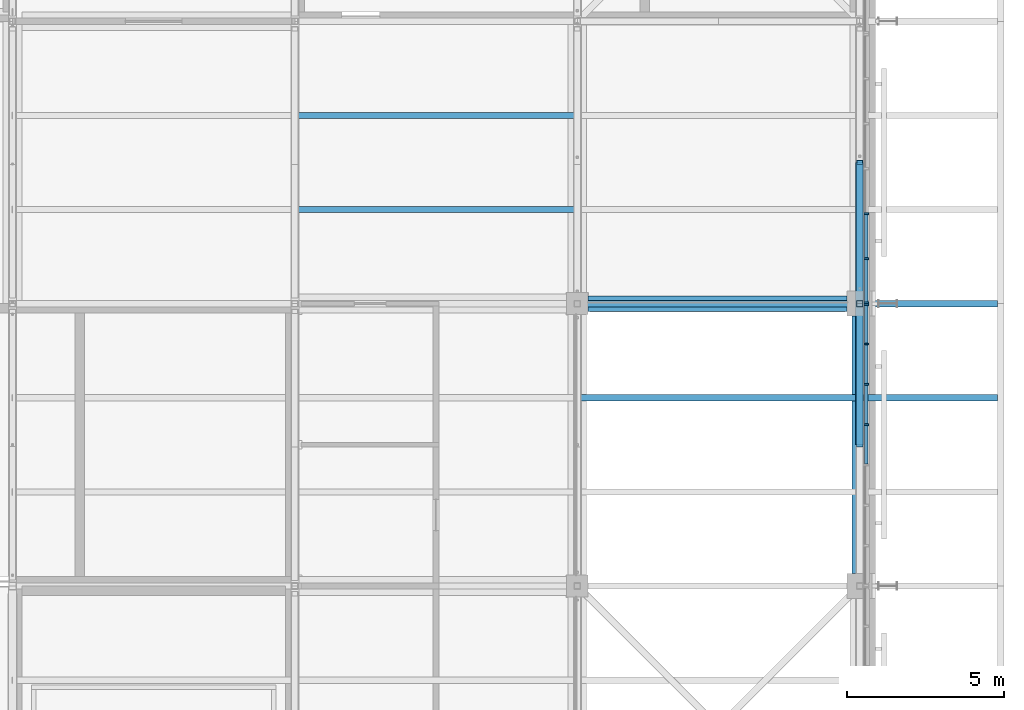
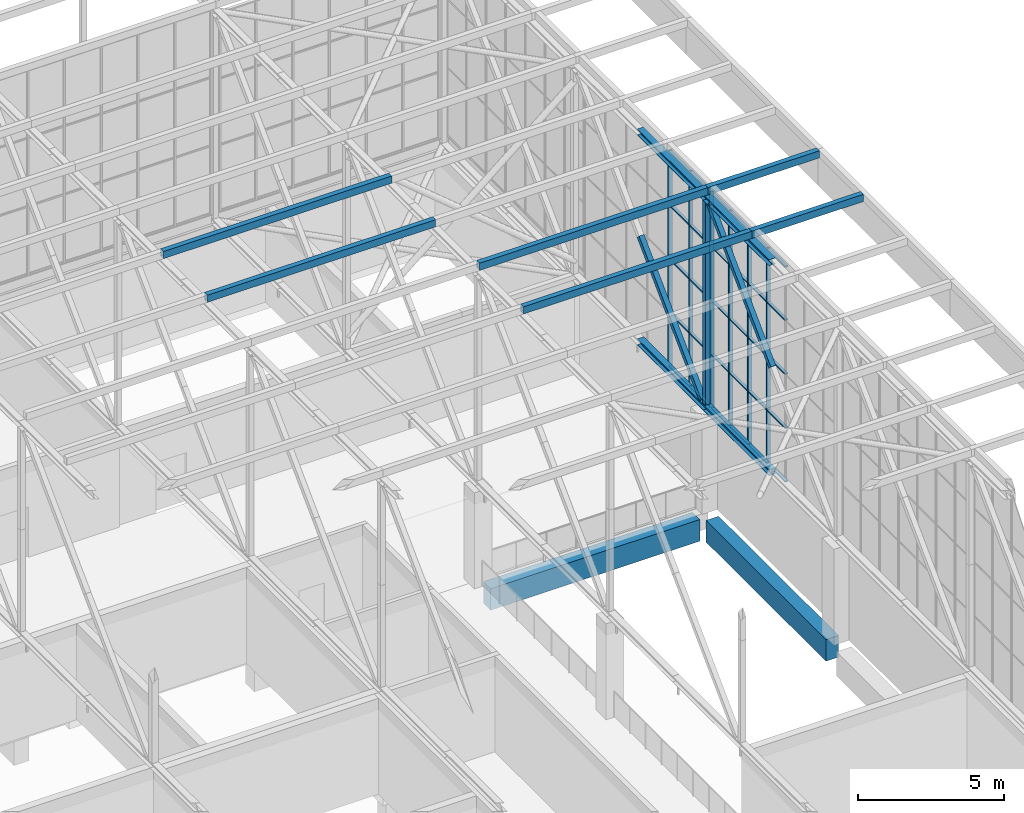
# One storey, part 109 of 646: 51 members, 2 beams, 2 elements without a shape of their own.
"""IFC4 building model written with IfcOpenShell, lengths in metres."""

from ifc_helpers import new_model, si_unit, direction, frame, origin, origin_2d, place, context, subcontext, project, spatial, rectangle, hollow_rectangle, i_section, extrude, material, material_profile, profile_set, type_object, element, aggregate, save


model = new_model("IFC4")

# Units and contexts
model_context = context("Model", 3, precision=1e-05, world=origin(), true_north=direction((0.0, 1.0)))
body_context = subcontext(model_context, "Body", "Model", "MODEL_VIEW")
ifc_project = project(units=[si_unit("LENGTHUNIT", "METRE"), si_unit("AREAUNIT", "SQUARE_METRE"), si_unit("VOLUMEUNIT", "CUBIC_METRE"), si_unit("PLANEANGLEUNIT", "RADIAN"), si_unit("MASSUNIT", "GRAM", prefix="KILO")], contexts=[model_context])

# Site, building, storey
site_placement = place(None, origin())
site = spatial("IfcSite", under=ifc_project, at=site_placement, CompositionType="ELEMENT")
building_placement = place(site_placement, origin())
building = spatial("IfcBuilding", under=site, at=building_placement, Name="Silverbay Arena", CompositionType="ELEMENT")
storey_placement = place(building_placement, frame((0.0, 0.0, 33.5)))
storey = spatial("IfcBuildingStorey", under=building, at=storey_placement, Name="L05", CompositionType="ELEMENT", Elevation=33.5)

# Curtain wall, members
ifc_material_1 = material(Name="Aluminium framed glazing", Category="aluminium")
curtain_wall_type_1 = type_object("IfcCurtainWallType", Name="Curtain wall clerestory 9000 x 9000", PredefinedType="NOTDEFINED", material=ifc_material_1)
curtain_wall_1_placement = place(storey_placement, origin())
curtain_wall_1 = element("IfcCurtainWall", 1, at=curtain_wall_1_placement, inside=storey, type_object=curtain_wall_type_1, Name="ROOF GABLE CLERESTORY CURTAIN WALL east bay 13", PredefinedType="NOTDEFINED")
ifc_material_2 = material(Name="Aluminium", Category="aluminium")
ifc_material_profile_1 = material_profile(ifc_material_2, rectangle(XDim=0.159912109375, YDim=0.06005859375, at=origin_2d()), Name="Mullion 60 x 160")
ifc_profile_set_1 = profile_set([ifc_material_profile_1], Name="Aluminium")
member_type_1 = type_object("IfcMemberType", Name="Mullion 60 x 160", PredefinedType="MULLION", material=ifc_profile_set_1)
member_1_placement = place(storey_placement, frame((207.2099609375, 122.142822265625, 4.0), z_axis=(0.0, 0.0, 1.0), x_axis=(-1.0, 0.0, 0.0)))
member_1 = element("IfcMember", 2, at=member_1_placement, type_object=member_type_1, Name="CW60 mullion 5", PredefinedType="MULLION", context=body_context, shape_type="SweptSolid", body=[
    extrude(rectangle(XDim=0.159912109375, YDim=0.06005859375, at=origin_2d()), origin(), (0.0, 0.0, 1.0), 9.0),
])
member_2_placement = place(storey_placement, frame((207.2099609375, 123.428466796875, 4.0), z_axis=(0.0, 0.0, 1.0), x_axis=(-1.0, 0.0, 0.0)))
member_2 = element("IfcMember", 3, at=member_2_placement, type_object=member_type_1, Name="CW60 mullion 6", PredefinedType="MULLION", context=body_context, shape_type="SweptSolid", body=[
    extrude(rectangle(XDim=0.159912109375, YDim=0.06005859375, at=origin_2d()), origin(), (0.0, 0.0, 1.0), 9.0),
])
member_3_placement = place(storey_placement, frame((207.2099609375, 124.71435546875, 4.0), z_axis=(0.0, 0.0, 1.0), x_axis=(-1.0, 0.0, 0.0)))
member_3 = element("IfcMember", 4, at=member_3_placement, type_object=member_type_1, Name="CW60 mullion 7", PredefinedType="MULLION", context=body_context, shape_type="SweptSolid", body=[
    extrude(rectangle(XDim=0.159912109375, YDim=0.06005859375, at=origin_2d()), origin(), (0.0, 0.0, 1.0), 9.0),
])
member_4_placement = place(storey_placement, frame((207.2099609375, 125.969970703125, 4.0), z_axis=(0.0, 0.0, 1.0), x_axis=(-1.0, 0.0, 0.0)))
member_4 = element("IfcMember", 5, at=member_4_placement, type_object=member_type_1, Name="CW60 mullion 8", PredefinedType="MULLION", context=body_context, shape_type="SweptSolid", body=[
    extrude(rectangle(XDim=0.159912109375, YDim=0.06005859375, at=origin_2d()), origin(), (0.0, 0.0, 1.0), 9.0),
])

ifc_material_3 = material(Name="Aluminium framed glazing", Category="aluminium")
curtain_wall_type_2 = type_object("IfcCurtainWallType", Name="Curtain wall clerestory 8600 x 9000", PredefinedType="NOTDEFINED", material=ifc_material_3)
curtain_wall_2_placement = place(storey_placement, origin())
curtain_wall_2 = element("IfcCurtainWall", 6, at=curtain_wall_2_placement, inside=storey, type_object=curtain_wall_type_2, Name="ROOF GABLE CLERESTORY CURTAIN WALL east bay 14", PredefinedType="NOTDEFINED")
member_5_placement = place(storey_placement, frame((207.2099609375, 126.030029296875, 4.0), z_axis=(0.0, 0.0, 1.0), x_axis=(-1.0, 0.0, 0.0)))
member_5 = element("IfcMember", 7, at=member_5_placement, type_object=member_type_1, Name="CW59 mullion 1", PredefinedType="MULLION", context=body_context, shape_type="SweptSolid", body=[
    extrude(rectangle(XDim=0.159912109375, YDim=0.06005859375, at=origin_2d()), origin(), (0.0, 0.0, 1.0), 9.0),
])
member_6_placement = place(storey_placement, frame((207.2099609375, 127.433349609375, 4.0), z_axis=(0.0, 0.0, 1.0), x_axis=(-1.0, 0.0, 0.0)))
member_6 = element("IfcMember", 8, at=member_6_placement, type_object=member_type_1, Name="CW59 mullion 2", PredefinedType="MULLION", context=body_context, shape_type="SweptSolid", body=[
    extrude(rectangle(XDim=0.159912109375, YDim=0.06005859375, at=origin_2d()), origin(), (0.0, 0.0, 1.0), 9.0),
])
member_7_placement = place(storey_placement, frame((207.2099609375, 128.86669921875, 4.0), z_axis=(0.0, 0.0, 1.0), x_axis=(-1.0, 0.0, 0.0)))
member_7 = element("IfcMember", 9, at=member_7_placement, type_object=member_type_1, Name="CW59 mullion 3", PredefinedType="MULLION", context=body_context, shape_type="SweptSolid", body=[
    extrude(rectangle(XDim=0.159912109375, YDim=0.06005859375, at=origin_2d()), origin(), (0.0, 0.0, 1.0), 9.0),
])

# Members
ifc_material_4 = material(Name="Steel S355", Category="steel")
ifc_material_profile_2 = material_profile(ifc_material_4, hollow_rectangle(XDim=0.199951171875, YDim=0.300048828125, WallThickness=0.00634765625, at=origin_2d()), Name="RHS 300x200x6.3")
ifc_profile_set_2 = profile_set([ifc_material_profile_2], Name="Steel S355")
member_type_2 = type_object("IfcMemberType", Name="Purlin RHS 300x200x6.3", PredefinedType="PURLIN", material=ifc_profile_set_2)
for number, where, z_axis, x_axis, name in (
    (10, (189.0, 129.0, 13.14990234375), (1.0, 0.0, 0.0), (0.0, 1.0, 0.0), "ROOF PURLIN 22-23 line 41"),
    (11, (189.0, 132.0, 13.14990234375), (1.0, 0.0, 0.0), (0.0, 1.0, 0.0), "ROOF PURLIN 22-23 line 42"),
):
    element("IfcMember", number, at=place(storey_placement, frame(where, z_axis=z_axis, x_axis=x_axis)), inside=storey, type_object=member_type_2, Name=name, PredefinedType="PURLIN", context=body_context, shape_type="SweptSolid", body=[
        extrude(hollow_rectangle(XDim=0.199951171875, YDim=0.300048828125, WallThickness=0.00634765625, at=origin_2d()), origin(), (0.0, 0.0, 1.0), 9.0),
    ])
ifc_material_5 = material(Name="Steel S355", Category="steel")
ifc_material_profile_3 = material_profile(ifc_material_5, hollow_rectangle(XDim=0.199951171875, YDim=0.300048828125, WallThickness=0.008056640625, at=origin_2d()), Name="RHS 300x200x8")
ifc_profile_set_3 = profile_set([ifc_material_profile_3], Name="Steel S355")
member_type_3 = type_object("IfcMemberType", Name="Purlin RHS 300x200x8", PredefinedType="PURLIN", material=ifc_profile_set_3)
for number, where, z_axis, x_axis, name in (
    (12, (198.0, 123.0, 13.14990234375), (1.0, 0.0, 0.0), (0.0, 1.0, 0.0), "ROOF PURLIN 23-24 line 39"),
    (13, (198.0, 126.0, 13.14990234375), (1.0, 0.0, 0.0), (0.0, 1.0, 0.0), "ROOF PURLIN 23-24 line 40"),
):
    element("IfcMember", number, at=place(storey_placement, frame(where, z_axis=z_axis, x_axis=x_axis)), inside=storey, type_object=member_type_3, Name=name, PredefinedType="PURLIN", context=body_context, shape_type="SweptSolid", body=[
        extrude(hollow_rectangle(XDim=0.199951171875, YDim=0.300048828125, WallThickness=0.008056640625, at=origin_2d()), origin(), (0.0, 0.0, 1.0), 9.0),
    ])
for number, where, z_axis, x_axis, name in (
    (14, (211.39990234375, 123.0, 13.14990234375), (-1.0, 0.0, 0.0), (0.0, -1.0, 0.0), "ROOF PURLIN east eave line 39"),
    (15, (211.39990234375, 126.0, 13.14990234375), (-1.0, 0.0, 0.0), (0.0, -1.0, 0.0), "ROOF PURLIN east eave line 40"),
):
    element("IfcMember", number, at=place(storey_placement, frame(where, z_axis=z_axis, x_axis=x_axis)), inside=storey, type_object=member_type_3, Name=name, PredefinedType="PURLIN", context=body_context, shape_type="SweptSolid", body=[
        extrude(hollow_rectangle(XDim=0.199951171875, YDim=0.300048828125, WallThickness=0.008056640625, at=origin_2d()), origin(), (0.0, 0.0, 1.0), 4.39990234375),
    ])

# Beams
ifc_material_6 = material(Name="Concrete Grade C45", Category="concrete")
ifc_material_profile_4 = material_profile(ifc_material_6, rectangle(XDim=0.5, YDim=0.89990234375, at=origin_2d()), Name="RC 500x900")
ifc_profile_set_4 = profile_set([ifc_material_profile_4], Name="Concrete Grade C45")
beam_type = type_object("IfcBeamType", Name="RC beam 500x900", PredefinedType="BEAM", material=ifc_profile_set_4)
beam_1_placement = place(storey_placement, frame((198.35009765625, 126.0, -0.75), z_axis=(1.0, 0.0, 0.0), x_axis=(0.0, 1.0, 0.0)))
element("IfcBeam", 16, at=beam_1_placement, inside=storey, type_object=beam_type, Name="Floor beam L05 060", PredefinedType="BEAM", context=body_context, shape_type="SweptSolid", body=[
    extrude(rectangle(XDim=0.5, YDim=0.89990234375, at=origin_2d()), origin(), (0.0, 0.0, 1.0), 8.25),
])
beam_2_placement = place(storey_placement, frame((207.0, 117.39990234375, -0.75), z_axis=(0.0, 1.0, 0.0), x_axis=(-1.0, 0.0, 0.0)))
element("IfcBeam", 17, at=beam_2_placement, inside=storey, type_object=beam_type, Name="Floor beam L05 153", PredefinedType="BEAM", context=body_context, shape_type="SweptSolid", body=[
    extrude(rectangle(XDim=0.5, YDim=0.89990234375, at=origin_2d()), origin(), (0.0, 0.0, 1.0), 8.2001953125),
])

# Members
ifc_material_7 = material(Name="Steel S355", Category="steel")
ifc_material_profile_5 = material_profile(ifc_material_7, i_section(OverallWidth=0.254638671875, OverallDepth=0.254150390625, WebThickness=0.008544921875, FlangeThickness=0.01416015625, at=origin_2d()), Name="UC 254x254x73")
ifc_profile_set_5 = profile_set([ifc_material_profile_5], Name="Steel S355")
member_type_4 = type_object("IfcMemberType", Name="Short-span bottom chord UC 254x254x73", PredefinedType="CHORD", material=ifc_profile_set_5)
for number, where, z_axis, x_axis, name in (
    (18, (207.0, 121.5, 4.126953125), (0.0, 1.0, 0.0), (-1.0, 0.0, 0.0), "ROOF TRUSS 24 bottom chord 13b"),
    (19, (207.0, 126.0, 4.126953125), (0.0, 1.0, 0.0), (-1.0, 0.0, 0.0), "ROOF TRUSS 24 bottom chord 14a"),
):
    element("IfcMember", number, at=place(storey_placement, frame(where, z_axis=z_axis, x_axis=x_axis)), inside=storey, type_object=member_type_4, Name=name, PredefinedType="CHORD", context=body_context, shape_type="SweptSolid", body=[
        extrude(i_section(OverallWidth=0.254638671875, OverallDepth=0.254150390625, WebThickness=0.008544921875, FlangeThickness=0.01416015625, at=origin_2d()), origin(), (0.0, 0.0, 1.0), 4.5),
    ])
ifc_material_8 = material(Name="Steel S355", Category="steel")
ifc_material_profile_6 = material_profile(ifc_material_8, i_section(OverallWidth=0.254638671875, OverallDepth=0.254150390625, WebThickness=0.008544921875, FlangeThickness=0.01416015625, at=origin_2d()), Name="UC 254x254x73")
ifc_profile_set_6 = profile_set([ifc_material_profile_6], Name="Steel S355")
member_type_5 = type_object("IfcMemberType", Name="Short-span top chord UC 254x254x73", PredefinedType="CHORD", material=ifc_profile_set_6)
for number, where, z_axis, x_axis, name in (
    (20, (207.0, 121.5, 12.873046875), (0.0, 1.0, 0.0), (-1.0, 0.0, 0.0), "ROOF TRUSS 24 top chord 13b"),
    (21, (207.0, 126.0, 12.873046875), (0.0, 1.0, 0.0), (-1.0, 0.0, 0.0), "ROOF TRUSS 24 top chord 14a"),
):
    element("IfcMember", number, at=place(storey_placement, frame(where, z_axis=z_axis, x_axis=x_axis)), inside=storey, type_object=member_type_5, Name=name, PredefinedType="CHORD", context=body_context, shape_type="SweptSolid", body=[
        extrude(i_section(OverallWidth=0.254638671875, OverallDepth=0.254150390625, WebThickness=0.008544921875, FlangeThickness=0.01416015625, at=origin_2d()), origin(), (0.0, 0.0, 1.0), 4.5),
    ])
ifc_material_9 = material(Name="Steel S355", Category="steel")
ifc_material_profile_7 = material_profile(ifc_material_9, hollow_rectangle(XDim=0.199951171875, YDim=0.199951171875, WallThickness=0.008056640625, at=origin_2d()), Name="SHS 200x200x8")
ifc_profile_set_7 = profile_set([ifc_material_profile_7], Name="Steel S355")
member_type_6 = type_object("IfcMemberType", Name="Short-span truss diagonal SHS 200x200x8", PredefinedType="BRACE", material=ifc_profile_set_7)
for number, where, z_axis, x_axis, name in (
    (22, (207.0, 125.75439453125, 12.745849609375), (0.0, -0.70781724692, -0.706395600894), (1.0, 0.0, 0.0), "ROOF TRUSS 24 diagonal 13a"),
    (23, (207.0, 130.5, 8.5), (0.0, -0.70781724692, -0.706395600894), (1.0, 0.0, 0.0), "ROOF TRUSS 24 diagonal 14b"),
):
    element("IfcMember", number, at=place(storey_placement, frame(where, z_axis=z_axis, x_axis=x_axis)), inside=storey, type_object=member_type_6, Name=name, PredefinedType="BRACE", context=body_context, shape_type="SweptSolid", body=[
        extrude(hollow_rectangle(XDim=0.199951171875, YDim=0.199951171875, WallThickness=0.008056640625, at=origin_2d()), origin(), (0.0, 0.0, 1.0), 6.010498046875),
    ])
ifc_material_10 = material(Name="Steel S355", Category="steel")
ifc_material_profile_8 = material_profile(ifc_material_10, hollow_rectangle(XDim=0.199951171875, YDim=0.199951171875, WallThickness=0.008056640625, at=origin_2d()), Name="SHS 200x200x8")
ifc_profile_set_8 = profile_set([ifc_material_profile_8], Name="Steel S355")
member_type_7 = type_object("IfcMemberType", Name="Short-span truss vertical SHS 200x200x8", PredefinedType="STRUT", material=ifc_profile_set_8)
for number, where, z_axis, x_axis, name in (
    (24, (207.0, 126.0, 4.254150390625), (0.0, 0.0, 1.0), (1.0, 0.0, 0.0), "ROOF TRUSS 24 vertical 14a"),
    (25, (207.0, 126.0, 8.5), (0.0, 0.0, 1.0), (1.0, 0.0, 0.0), "ROOF TRUSS 24 vertical 14b"),
):
    element("IfcMember", number, at=place(storey_placement, frame(where, z_axis=z_axis, x_axis=x_axis)), inside=storey, type_object=member_type_7, Name=name, PredefinedType="STRUT", context=body_context, shape_type="SweptSolid", body=[
        extrude(hollow_rectangle(XDim=0.199951171875, YDim=0.199951171875, WallThickness=0.008056640625, at=origin_2d()), origin(), (0.0, 0.0, 1.0), 4.245849609375),
    ])

# Member
ifc_material_11 = material(Name="Aluminium", Category="aluminium")
ifc_material_profile_9 = material_profile(ifc_material_11, rectangle(XDim=0.1201171875, YDim=0.050048828125, at=origin_2d()), Name="Transom 50 x 120")
ifc_profile_set_9 = profile_set([ifc_material_profile_9], Name="Aluminium")
member_type_8 = type_object("IfcMemberType", Name="Transom 50 x 120", PredefinedType="USERDEFINED", material=ifc_profile_set_9)
member_8_placement = place(storey_placement, frame((207.2099609375, 120.88720703125, 4.02490234375), z_axis=(0.0, 1.0, 0.0), x_axis=(-1.0, 0.0, 0.0)))
member_8 = element("IfcMember", 26, at=member_8_placement, type_object=member_type_8, Name="CW60 transom 4.1", ObjectType="TRANSOM", PredefinedType="USERDEFINED", context=body_context, shape_type="SweptSolid", body=[
    extrude(rectangle(XDim=0.1201171875, YDim=0.050048828125, at=origin_2d()), origin(), (0.0, 0.0, 1.0), 1.2255859375),
])

member_9_placement = place(storey_placement, frame((207.2099609375, 120.88720703125, 6.25), z_axis=(0.0, 1.0, 0.0), x_axis=(-1.0, 0.0, 0.0)))
member_9 = element("IfcMember", 27, at=member_9_placement, type_object=member_type_8, Name="CW60 transom 4.2", ObjectType="TRANSOM", PredefinedType="USERDEFINED", context=body_context, shape_type="SweptSolid", body=[
    extrude(rectangle(XDim=0.1201171875, YDim=0.050048828125, at=origin_2d()), origin(), (0.0, 0.0, 1.0), 1.2255859375),
])

member_10_placement = place(storey_placement, frame((207.2099609375, 120.88720703125, 8.5), z_axis=(0.0, 1.0, 0.0), x_axis=(-1.0, 0.0, 0.0)))
member_10 = element("IfcMember", 28, at=member_10_placement, type_object=member_type_8, Name="CW60 transom 4.3", ObjectType="TRANSOM", PredefinedType="USERDEFINED", context=body_context, shape_type="SweptSolid", body=[
    extrude(rectangle(XDim=0.1201171875, YDim=0.050048828125, at=origin_2d()), origin(), (0.0, 0.0, 1.0), 1.2255859375),
])

member_11_placement = place(storey_placement, frame((207.2099609375, 120.88720703125, 10.75), z_axis=(0.0, 1.0, 0.0), x_axis=(-1.0, 0.0, 0.0)))
member_11 = element("IfcMember", 29, at=member_11_placement, type_object=member_type_8, Name="CW60 transom 4.4", ObjectType="TRANSOM", PredefinedType="USERDEFINED", context=body_context, shape_type="SweptSolid", body=[
    extrude(rectangle(XDim=0.1201171875, YDim=0.050048828125, at=origin_2d()), origin(), (0.0, 0.0, 1.0), 1.2255859375),
])

member_12_placement = place(storey_placement, frame((207.2099609375, 120.88720703125, 12.97509765625), z_axis=(0.0, 1.0, 0.0), x_axis=(-1.0, 0.0, 0.0)))
member_12 = element("IfcMember", 30, at=member_12_placement, type_object=member_type_8, Name="CW60 transom 4.5", ObjectType="TRANSOM", PredefinedType="USERDEFINED", context=body_context, shape_type="SweptSolid", body=[
    extrude(rectangle(XDim=0.1201171875, YDim=0.050048828125, at=origin_2d()), origin(), (0.0, 0.0, 1.0), 1.2255859375),
])

member_13_placement = place(storey_placement, frame((207.2099609375, 122.1728515625, 4.02490234375), z_axis=(0.0, 1.0, 0.0), x_axis=(-1.0, 0.0, 0.0)))
member_13 = element("IfcMember", 31, at=member_13_placement, type_object=member_type_8, Name="CW60 transom 5.1", ObjectType="TRANSOM", PredefinedType="USERDEFINED", context=body_context, shape_type="SweptSolid", body=[
    extrude(rectangle(XDim=0.1201171875, YDim=0.050048828125, at=origin_2d()), origin(), (0.0, 0.0, 1.0), 1.225830078125),
])

member_14_placement = place(storey_placement, frame((207.2099609375, 122.1728515625, 6.25), z_axis=(0.0, 1.0, 0.0), x_axis=(-1.0, 0.0, 0.0)))
member_14 = element("IfcMember", 32, at=member_14_placement, type_object=member_type_8, Name="CW60 transom 5.2", ObjectType="TRANSOM", PredefinedType="USERDEFINED", context=body_context, shape_type="SweptSolid", body=[
    extrude(rectangle(XDim=0.1201171875, YDim=0.050048828125, at=origin_2d()), origin(), (0.0, 0.0, 1.0), 1.225830078125),
])

member_15_placement = place(storey_placement, frame((207.2099609375, 122.1728515625, 8.5), z_axis=(0.0, 1.0, 0.0), x_axis=(-1.0, 0.0, 0.0)))
member_15 = element("IfcMember", 33, at=member_15_placement, type_object=member_type_8, Name="CW60 transom 5.3", ObjectType="TRANSOM", PredefinedType="USERDEFINED", context=body_context, shape_type="SweptSolid", body=[
    extrude(rectangle(XDim=0.1201171875, YDim=0.050048828125, at=origin_2d()), origin(), (0.0, 0.0, 1.0), 1.225830078125),
])

member_16_placement = place(storey_placement, frame((207.2099609375, 122.1728515625, 10.75), z_axis=(0.0, 1.0, 0.0), x_axis=(-1.0, 0.0, 0.0)))
member_16 = element("IfcMember", 34, at=member_16_placement, type_object=member_type_8, Name="CW60 transom 5.4", ObjectType="TRANSOM", PredefinedType="USERDEFINED", context=body_context, shape_type="SweptSolid", body=[
    extrude(rectangle(XDim=0.1201171875, YDim=0.050048828125, at=origin_2d()), origin(), (0.0, 0.0, 1.0), 1.225830078125),
])

member_17_placement = place(storey_placement, frame((207.2099609375, 122.1728515625, 12.97509765625), z_axis=(0.0, 1.0, 0.0), x_axis=(-1.0, 0.0, 0.0)))
member_17 = element("IfcMember", 35, at=member_17_placement, type_object=member_type_8, Name="CW60 transom 5.5", ObjectType="TRANSOM", PredefinedType="USERDEFINED", context=body_context, shape_type="SweptSolid", body=[
    extrude(rectangle(XDim=0.1201171875, YDim=0.050048828125, at=origin_2d()), origin(), (0.0, 0.0, 1.0), 1.225830078125),
])

member_18_placement = place(storey_placement, frame((207.2099609375, 123.45849609375, 4.02490234375), z_axis=(0.0, 1.0, 0.0), x_axis=(-1.0, 0.0, 0.0)))
member_18 = element("IfcMember", 36, at=member_18_placement, type_object=member_type_8, Name="CW60 transom 6.1", ObjectType="TRANSOM", PredefinedType="USERDEFINED", context=body_context, shape_type="SweptSolid", body=[
    extrude(rectangle(XDim=0.1201171875, YDim=0.050048828125, at=origin_2d()), origin(), (0.0, 0.0, 1.0), 1.225830078125),
])

member_19_placement = place(storey_placement, frame((207.2099609375, 123.45849609375, 6.25), z_axis=(0.0, 1.0, 0.0), x_axis=(-1.0, 0.0, 0.0)))
member_19 = element("IfcMember", 37, at=member_19_placement, type_object=member_type_8, Name="CW60 transom 6.2", ObjectType="TRANSOM", PredefinedType="USERDEFINED", context=body_context, shape_type="SweptSolid", body=[
    extrude(rectangle(XDim=0.1201171875, YDim=0.050048828125, at=origin_2d()), origin(), (0.0, 0.0, 1.0), 1.225830078125),
])

member_20_placement = place(storey_placement, frame((207.2099609375, 123.45849609375, 8.5), z_axis=(0.0, 1.0, 0.0), x_axis=(-1.0, 0.0, 0.0)))
member_20 = element("IfcMember", 38, at=member_20_placement, type_object=member_type_8, Name="CW60 transom 6.3", ObjectType="TRANSOM", PredefinedType="USERDEFINED", context=body_context, shape_type="SweptSolid", body=[
    extrude(rectangle(XDim=0.1201171875, YDim=0.050048828125, at=origin_2d()), origin(), (0.0, 0.0, 1.0), 1.225830078125),
])

member_21_placement = place(storey_placement, frame((207.2099609375, 123.45849609375, 10.75), z_axis=(0.0, 1.0, 0.0), x_axis=(-1.0, 0.0, 0.0)))
member_21 = element("IfcMember", 39, at=member_21_placement, type_object=member_type_8, Name="CW60 transom 6.4", ObjectType="TRANSOM", PredefinedType="USERDEFINED", context=body_context, shape_type="SweptSolid", body=[
    extrude(rectangle(XDim=0.1201171875, YDim=0.050048828125, at=origin_2d()), origin(), (0.0, 0.0, 1.0), 1.225830078125),
])

member_22_placement = place(storey_placement, frame((207.2099609375, 123.45849609375, 12.97509765625), z_axis=(0.0, 1.0, 0.0), x_axis=(-1.0, 0.0, 0.0)))
member_22 = element("IfcMember", 40, at=member_22_placement, type_object=member_type_8, Name="CW60 transom 6.5", ObjectType="TRANSOM", PredefinedType="USERDEFINED", context=body_context, shape_type="SweptSolid", body=[
    extrude(rectangle(XDim=0.1201171875, YDim=0.050048828125, at=origin_2d()), origin(), (0.0, 0.0, 1.0), 1.225830078125),
])

member_23_placement = place(storey_placement, frame((207.2099609375, 124.744384765625, 4.02490234375), z_axis=(0.0, 1.0, 0.0), x_axis=(-1.0, 0.0, 0.0)))
member_23 = element("IfcMember", 41, at=member_23_placement, type_object=member_type_8, Name="CW60 transom 7.1", ObjectType="TRANSOM", PredefinedType="USERDEFINED", context=body_context, shape_type="SweptSolid", body=[
    extrude(rectangle(XDim=0.1201171875, YDim=0.050048828125, at=origin_2d()), origin(), (0.0, 0.0, 1.0), 1.195556640625),
])

member_24_placement = place(storey_placement, frame((207.2099609375, 124.744384765625, 6.25), z_axis=(0.0, 1.0, 0.0), x_axis=(-1.0, 0.0, 0.0)))
member_24 = element("IfcMember", 42, at=member_24_placement, type_object=member_type_8, Name="CW60 transom 7.2", ObjectType="TRANSOM", PredefinedType="USERDEFINED", context=body_context, shape_type="SweptSolid", body=[
    extrude(rectangle(XDim=0.1201171875, YDim=0.050048828125, at=origin_2d()), origin(), (0.0, 0.0, 1.0), 1.195556640625),
])

member_25_placement = place(storey_placement, frame((207.2099609375, 124.744384765625, 8.5), z_axis=(0.0, 1.0, 0.0), x_axis=(-1.0, 0.0, 0.0)))
member_25 = element("IfcMember", 43, at=member_25_placement, type_object=member_type_8, Name="CW60 transom 7.3", ObjectType="TRANSOM", PredefinedType="USERDEFINED", context=body_context, shape_type="SweptSolid", body=[
    extrude(rectangle(XDim=0.1201171875, YDim=0.050048828125, at=origin_2d()), origin(), (0.0, 0.0, 1.0), 1.195556640625),
])

member_26_placement = place(storey_placement, frame((207.2099609375, 124.744384765625, 10.75), z_axis=(0.0, 1.0, 0.0), x_axis=(-1.0, 0.0, 0.0)))
member_26 = element("IfcMember", 44, at=member_26_placement, type_object=member_type_8, Name="CW60 transom 7.4", ObjectType="TRANSOM", PredefinedType="USERDEFINED", context=body_context, shape_type="SweptSolid", body=[
    extrude(rectangle(XDim=0.1201171875, YDim=0.050048828125, at=origin_2d()), origin(), (0.0, 0.0, 1.0), 1.195556640625),
])

member_27_placement = place(storey_placement, frame((207.2099609375, 124.744384765625, 12.97509765625), z_axis=(0.0, 1.0, 0.0), x_axis=(-1.0, 0.0, 0.0)))
member_27 = element("IfcMember", 45, at=member_27_placement, type_object=member_type_8, Name="CW60 transom 7.5", ObjectType="TRANSOM", PredefinedType="USERDEFINED", context=body_context, shape_type="SweptSolid", body=[
    extrude(rectangle(XDim=0.1201171875, YDim=0.050048828125, at=origin_2d()), origin(), (0.0, 0.0, 1.0), 1.195556640625),
])

aggregate(curtain_wall_1, [member_1, member_2, member_3, member_4, member_8, member_9, member_10, member_11, member_12, member_13, member_14, member_15, member_16, member_17, member_18, member_19, member_20, member_21, member_22, member_23, member_24, member_25, member_26, member_27])

member_28_placement = place(storey_placement, frame((207.2099609375, 126.06005859375, 4.02490234375), z_axis=(0.0, 1.0, 0.0), x_axis=(-1.0, 0.0, 0.0)))
member_28 = element("IfcMember", 46, at=member_28_placement, type_object=member_type_8, Name="CW59 transom 1.1", ObjectType="TRANSOM", PredefinedType="USERDEFINED", context=body_context, shape_type="SweptSolid", body=[
    extrude(rectangle(XDim=0.1201171875, YDim=0.050048828125, at=origin_2d()), origin(), (0.0, 0.0, 1.0), 1.34326171875),
])

member_29_placement = place(storey_placement, frame((207.2099609375, 126.06005859375, 6.25), z_axis=(0.0, 1.0, 0.0), x_axis=(-1.0, 0.0, 0.0)))
member_29 = element("IfcMember", 47, at=member_29_placement, type_object=member_type_8, Name="CW59 transom 1.2", ObjectType="TRANSOM", PredefinedType="USERDEFINED", context=body_context, shape_type="SweptSolid", body=[
    extrude(rectangle(XDim=0.1201171875, YDim=0.050048828125, at=origin_2d()), origin(), (0.0, 0.0, 1.0), 1.34326171875),
])

member_30_placement = place(storey_placement, frame((207.2099609375, 126.06005859375, 8.5), z_axis=(0.0, 1.0, 0.0), x_axis=(-1.0, 0.0, 0.0)))
member_30 = element("IfcMember", 48, at=member_30_placement, type_object=member_type_8, Name="CW59 transom 1.3", ObjectType="TRANSOM", PredefinedType="USERDEFINED", context=body_context, shape_type="SweptSolid", body=[
    extrude(rectangle(XDim=0.1201171875, YDim=0.050048828125, at=origin_2d()), origin(), (0.0, 0.0, 1.0), 1.34326171875),
])

member_31_placement = place(storey_placement, frame((207.2099609375, 126.06005859375, 10.75), z_axis=(0.0, 1.0, 0.0), x_axis=(-1.0, 0.0, 0.0)))
member_31 = element("IfcMember", 49, at=member_31_placement, type_object=member_type_8, Name="CW59 transom 1.4", ObjectType="TRANSOM", PredefinedType="USERDEFINED", context=body_context, shape_type="SweptSolid", body=[
    extrude(rectangle(XDim=0.1201171875, YDim=0.050048828125, at=origin_2d()), origin(), (0.0, 0.0, 1.0), 1.34326171875),
])

member_32_placement = place(storey_placement, frame((207.2099609375, 126.06005859375, 12.97509765625), z_axis=(0.0, 1.0, 0.0), x_axis=(-1.0, 0.0, 0.0)))
member_32 = element("IfcMember", 50, at=member_32_placement, type_object=member_type_8, Name="CW59 transom 1.5", ObjectType="TRANSOM", PredefinedType="USERDEFINED", context=body_context, shape_type="SweptSolid", body=[
    extrude(rectangle(XDim=0.1201171875, YDim=0.050048828125, at=origin_2d()), origin(), (0.0, 0.0, 1.0), 1.34326171875),
])

member_33_placement = place(storey_placement, frame((207.2099609375, 127.46337890625, 4.02490234375), z_axis=(0.0, 1.0, 0.0), x_axis=(-1.0, 0.0, 0.0)))
member_33 = element("IfcMember", 51, at=member_33_placement, type_object=member_type_8, Name="CW59 transom 2.1", ObjectType="TRANSOM", PredefinedType="USERDEFINED", context=body_context, shape_type="SweptSolid", body=[
    extrude(rectangle(XDim=0.1201171875, YDim=0.050048828125, at=origin_2d()), origin(), (0.0, 0.0, 1.0), 1.373291015625),
])

member_34_placement = place(storey_placement, frame((207.2099609375, 127.46337890625, 6.25), z_axis=(0.0, 1.0, 0.0), x_axis=(-1.0, 0.0, 0.0)))
member_34 = element("IfcMember", 52, at=member_34_placement, type_object=member_type_8, Name="CW59 transom 2.2", ObjectType="TRANSOM", PredefinedType="USERDEFINED", context=body_context, shape_type="SweptSolid", body=[
    extrude(rectangle(XDim=0.1201171875, YDim=0.050048828125, at=origin_2d()), origin(), (0.0, 0.0, 1.0), 1.373291015625),
])

member_35_placement = place(storey_placement, frame((207.2099609375, 127.46337890625, 8.5), z_axis=(0.0, 1.0, 0.0), x_axis=(-1.0, 0.0, 0.0)))
member_35 = element("IfcMember", 53, at=member_35_placement, type_object=member_type_8, Name="CW59 transom 2.3", ObjectType="TRANSOM", PredefinedType="USERDEFINED", context=body_context, shape_type="SweptSolid", body=[
    extrude(rectangle(XDim=0.1201171875, YDim=0.050048828125, at=origin_2d()), origin(), (0.0, 0.0, 1.0), 1.373291015625),
])

member_36_placement = place(storey_placement, frame((207.2099609375, 127.46337890625, 10.75), z_axis=(0.0, 1.0, 0.0), x_axis=(-1.0, 0.0, 0.0)))
member_36 = element("IfcMember", 54, at=member_36_placement, type_object=member_type_8, Name="CW59 transom 2.4", ObjectType="TRANSOM", PredefinedType="USERDEFINED", context=body_context, shape_type="SweptSolid", body=[
    extrude(rectangle(XDim=0.1201171875, YDim=0.050048828125, at=origin_2d()), origin(), (0.0, 0.0, 1.0), 1.373291015625),
])

member_37_placement = place(storey_placement, frame((207.2099609375, 127.46337890625, 12.97509765625), z_axis=(0.0, 1.0, 0.0), x_axis=(-1.0, 0.0, 0.0)))
member_37 = element("IfcMember", 55, at=member_37_placement, type_object=member_type_8, Name="CW59 transom 2.5", ObjectType="TRANSOM", PredefinedType="USERDEFINED", context=body_context, shape_type="SweptSolid", body=[
    extrude(rectangle(XDim=0.1201171875, YDim=0.050048828125, at=origin_2d()), origin(), (0.0, 0.0, 1.0), 1.373291015625),
])

aggregate(curtain_wall_2, [member_5, member_6, member_7, member_28, member_29, member_30, member_31, member_32, member_33, member_34, member_35, member_36, member_37])

save(model, "model.ifc")
